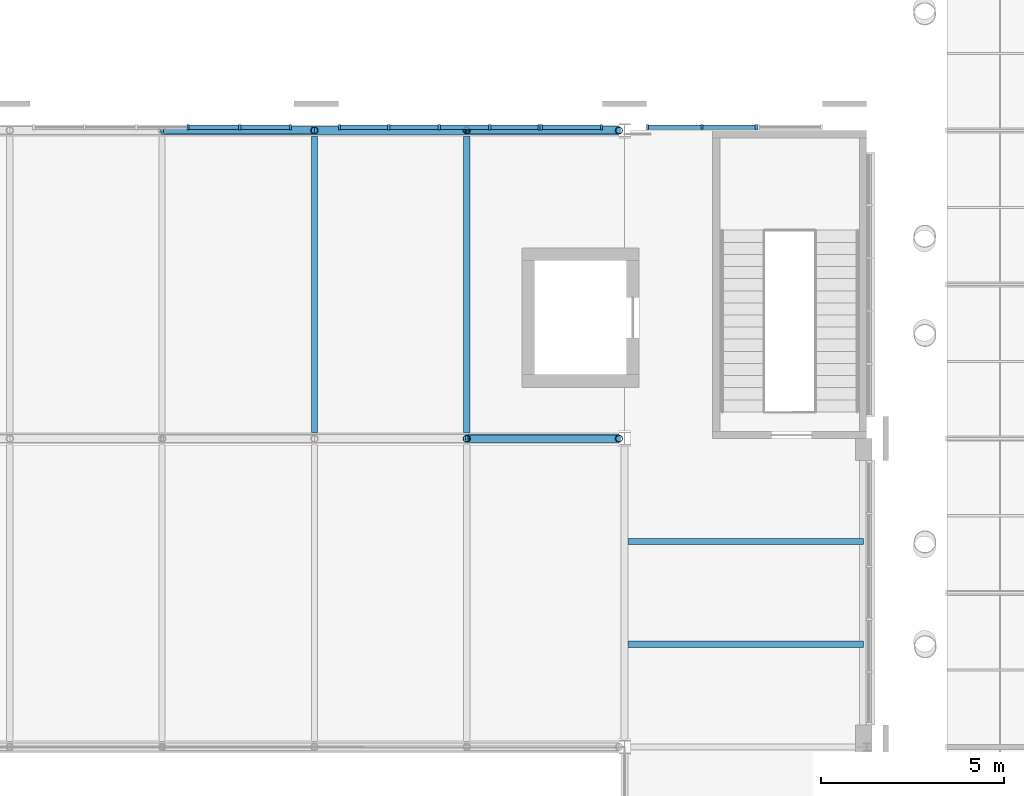
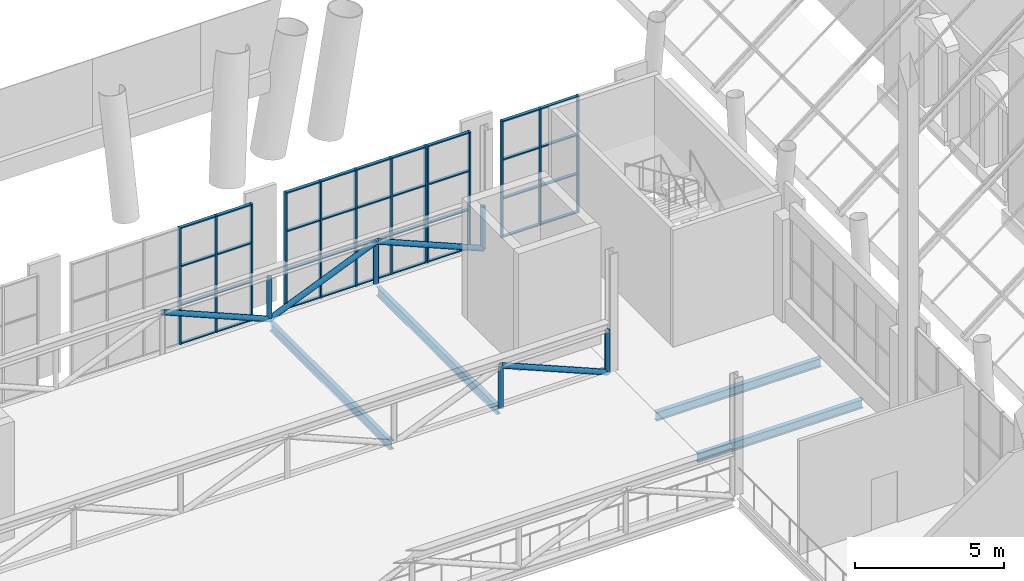
# One storey, part 37 of 76: 58 members, 4 beams, 4 elements without a shape of their own.
"""IFC4 building model written with IfcOpenShell, lengths in metres."""

from ifc_helpers import new_model, si_unit, direction, frame, origin, origin_2d, place, context, subcontext, project, spatial, rectangle, hollow_circle, i_section, extrude, material, material_profile, profile_set, type_object, element, aggregate, save


model = new_model("IFC4")

# Units and contexts
model_context = context("Model", 3, precision=1e-05, world=origin(), true_north=direction((0.0, 1.0)))
body_context = subcontext(model_context, "Body", "Model", "MODEL_VIEW")
ifc_project = project(units=[si_unit("LENGTHUNIT", "METRE"), si_unit("AREAUNIT", "SQUARE_METRE"), si_unit("VOLUMEUNIT", "CUBIC_METRE"), si_unit("PLANEANGLEUNIT", "RADIAN"), si_unit("MASSUNIT", "GRAM", prefix="KILO")], contexts=[model_context])

# Site, building, storey
site_placement = place(None, origin())
site = spatial("IfcSite", under=ifc_project, at=site_placement, CompositionType="ELEMENT")
building_placement = place(site_placement, origin())
building = spatial("IfcBuilding", under=site, at=building_placement, Name="Sava Quay Ferry Terminal", CompositionType="ELEMENT")
storey_placement = place(building_placement, frame((0.0, 0.0, 6.0)))
storey = spatial("IfcBuildingStorey", under=building, at=storey_placement, Name="L01", CompositionType="ELEMENT", Elevation=6.0)

# Beams
ifc_material_1 = material(Name="Steel S355", Category="steel")
ifc_material_profile_1 = material_profile(ifc_material_1, i_section(OverallWidth=0.169921875, OverallDepth=0.360107421875, WebThickness=0.008056640625, FlangeThickness=0.0126953125, at=origin_2d()), Name="IPE 360")
ifc_profile_set_1 = profile_set([ifc_material_profile_1], Name="Steel S355")
beam_type = type_object("IfcBeamType", Name="Beam IPE 360", PredefinedType="BEAM", material=ifc_profile_set_1)
for number, where, z_axis, x_axis, name in (
    (1, (75.68994140625, 86.800048828125, -0.31005859375), (1.0, 0.0, 0.0), (0.0, 1.0, 0.0), "Secondary beam L01"),
    (2, (75.68994140625, 89.60009765625, -0.31005859375), (1.0, 0.0, 0.0), (0.0, 1.0, 0.0), "Secondary beam L01"),
):
    element("IfcBeam", number, at=place(storey_placement, frame(where, z_axis=z_axis, x_axis=x_axis)), inside=storey, type_object=beam_type, Name=name, PredefinedType="BEAM", context=body_context, shape_type="SweptSolid", body=[
        extrude(i_section(OverallWidth=0.169921875, OverallDepth=0.360107421875, WebThickness=0.008056640625, FlangeThickness=0.0126953125, at=origin_2d()), origin(), (0.0, 0.0, 1.0), 6.420166015625),
    ])
for number, where, z_axis, x_axis, name in (
    (3, (67.14990234375, 92.550048828125, -0.31005859375), (0.0, 1.0, 0.0), (-1.0, 0.0, 0.0), "Truss floor beam"),
    (4, (71.300048828125, 92.550048828125, -0.31005859375), (0.0, 1.0, 0.0), (-1.0, 0.0, 0.0), "Truss floor beam"),
):
    element("IfcBeam", number, at=place(storey_placement, frame(where, z_axis=z_axis, x_axis=x_axis)), inside=storey, type_object=beam_type, Name=name, PredefinedType="BEAM", context=body_context, shape_type="SweptSolid", body=[
        extrude(i_section(OverallWidth=0.169921875, OverallDepth=0.360107421875, WebThickness=0.008056640625, FlangeThickness=0.0126953125, at=origin_2d()), origin(), (0.0, 0.0, 1.0), 8.099853515625),
    ])

# Members
ifc_material_2 = material(Name="Steel S355", Category="steel")
ifc_material_profile_2 = material_profile(ifc_material_2, hollow_circle(Radius=0.096923828125, WallThickness=0.008056640625, at=origin_2d()), Name="CHS 193.7 x 8")
ifc_profile_set_2 = profile_set([ifc_material_profile_2], Name="Steel S355")
member_type_1 = type_object("IfcMemberType", Name="Brace CHS 193.7 x 8", PredefinedType="BRACE", material=ifc_profile_set_2)
for number, where, z_axis, x_axis, name in (
    (5, (71.300048828125, 92.39990234375, -0.1298828125), (0.0, 0.0, 1.0), (1.0, 0.0, 0.0), "Truss post 92.4"),
    (6, (75.449951171875, 92.39990234375, -0.1298828125), (0.0, 0.0, 1.0), (1.0, 0.0, 0.0), "Truss post 92.4"),
    (7, (67.14990234375, 100.800048828125, -0.1298828125), (0.0, 0.0, 1.0), (1.0, 0.0, 0.0), "Truss post 100.8"),
    (8, (71.300048828125, 100.800048828125, -0.1298828125), (0.0, 0.0, 1.0), (1.0, 0.0, 0.0), "Truss post 100.8"),
    (9, (75.449951171875, 100.800048828125, -0.1298828125), (0.0, 0.0, 1.0), (1.0, 0.0, 0.0), "Truss post 100.8"),
):
    element("IfcMember", number, at=place(storey_placement, frame(where, z_axis=z_axis, x_axis=x_axis)), inside=storey, type_object=member_type_1, Name=name, PredefinedType="BRACE", context=body_context, shape_type="SweptSolid", body=[
        extrude(hollow_circle(Radius=0.096923828125, WallThickness=0.008056640625, at=origin_2d()), origin(), (0.0, 0.0, 1.0), 1.739990234375),
    ])
ifc_material_3 = material(Name="Steel S355", Category="steel")
ifc_material_profile_3 = material_profile(ifc_material_3, hollow_circle(Radius=0.109619140625, WallThickness=0.010009765625, at=origin_2d()), Name="CHS 219.1 x 10")
ifc_profile_set_3 = profile_set([ifc_material_profile_3], Name="Steel S355")
member_type_2 = type_object("IfcMemberType", Name="Brace CHS 219.1 x 10", PredefinedType="BRACE", material=ifc_profile_set_3)
for number, where, z_axis, x_axis, name in (
    (10, (75.449951171875, 92.39990234375, -0.1298828125), (-0.922217474343, 0.0, 0.386671604874), (0.0, -1.0, 0.0), "Truss diagonal 92.4"),
    (11, (67.14990234375, 100.800048828125, -0.1298828125), (-0.922217474343, 0.0, 0.386671604874), (0.0, -1.0, 0.0), "Truss diagonal 100.8"),
):
    element("IfcMember", number, at=place(storey_placement, frame(where, z_axis=z_axis, x_axis=x_axis)), inside=storey, type_object=member_type_2, Name=name, PredefinedType="BRACE", context=body_context, shape_type="SweptSolid", body=[
        extrude(hollow_circle(Radius=0.109619140625, WallThickness=0.010009765625, at=origin_2d()), origin(), (0.0, 0.0, 1.0), 4.5),
    ])
member_1_placement = place(storey_placement, frame((67.14990234375, 100.800048828125, -0.1298828125), z_axis=(0.922225585588, 0.0, 0.386652258867), x_axis=(0.0, 1.0, 0.0)))
element("IfcMember", 12, at=member_1_placement, inside=storey, type_object=member_type_2, Name="Truss diagonal 100.8", PredefinedType="BRACE", context=body_context, shape_type="SweptSolid", body=[
    extrude(hollow_circle(Radius=0.109619140625, WallThickness=0.010009765625, at=origin_2d()), origin(), (0.0, 0.0, 1.0), 4.500244140625),
])
member_2_placement = place(storey_placement, frame((75.449951171875, 100.800048828125, -0.1298828125), z_axis=(-0.922217474343, 0.0, 0.386671604874), x_axis=(0.0, -1.0, 0.0)))
element("IfcMember", 13, at=member_2_placement, inside=storey, type_object=member_type_2, Name="Truss diagonal 100.8", PredefinedType="BRACE", context=body_context, shape_type="SweptSolid", body=[
    extrude(hollow_circle(Radius=0.109619140625, WallThickness=0.010009765625, at=origin_2d()), origin(), (0.0, 0.0, 1.0), 4.5),
])

# Curtain wall, members
ifc_material_4 = material(Name="Aluminium and glass curtain wall, double low-e glazed", Category="aluminium")
curtain_wall_type = type_object("IfcCurtainWallType", Name="Curtain wall CW-G gable", PredefinedType="NOTDEFINED", material=ifc_material_4)
curtain_wall_1_placement = place(storey_placement, origin())
curtain_wall_1 = element("IfcCurtainWall", 14, at=curtain_wall_1_placement, inside=storey, type_object=curtain_wall_type, Name="Curtain wall D-N L01 bay 31", PredefinedType="NOTDEFINED")
ifc_material_5 = material(Name="Aluminium EN AW-6063 T6", Category="aluminium")
ifc_material_profile_4 = material_profile(ifc_material_5, rectangle(XDim=0.14990234375, YDim=0.06005859375, at=origin_2d()), Name="Mullion 60x150 aluminium")
ifc_profile_set_4 = profile_set([ifc_material_profile_4], Name="Aluminium EN AW-6063 T6")
member_type_3 = type_object("IfcMemberType", Name="Mullion 60x150 aluminium", PredefinedType="MULLION", material=ifc_profile_set_4)
member_3_placement = place(storey_placement, frame((63.7060546875, 100.885009765625, 0.0), z_axis=(0.0, 0.0, 1.0), x_axis=(0.0, 1.0, 0.0)))
member_3 = element("IfcMember", 15, at=member_3_placement, type_object=member_type_3, Name="CW70 mullion 4", PredefinedType="MULLION", context=body_context, shape_type="SweptSolid", body=[
    extrude(rectangle(XDim=0.14990234375, YDim=0.06005859375, at=origin_2d()), origin(), (0.0, 0.0, 1.0), 4.800048828125),
])
member_4_placement = place(storey_placement, frame((65.117919921875, 100.885009765625, 0.0), z_axis=(0.0, 0.0, 1.0), x_axis=(0.0, 1.0, 0.0)))
member_4 = element("IfcMember", 16, at=member_4_placement, type_object=member_type_3, Name="CW70 mullion 5", PredefinedType="MULLION", context=body_context, shape_type="SweptSolid", body=[
    extrude(rectangle(XDim=0.14990234375, YDim=0.06005859375, at=origin_2d()), origin(), (0.0, 0.0, 1.0), 4.800048828125),
])
member_5_placement = place(storey_placement, frame((66.5, 100.885009765625, 0.0), z_axis=(0.0, 0.0, 1.0), x_axis=(0.0, 1.0, 0.0)))
member_5 = element("IfcMember", 17, at=member_5_placement, type_object=member_type_3, Name="CW70 mullion 6", PredefinedType="MULLION", context=body_context, shape_type="SweptSolid", body=[
    extrude(rectangle(XDim=0.14990234375, YDim=0.06005859375, at=origin_2d()), origin(), (0.0, 0.0, 1.0), 4.800048828125),
])

curtain_wall_2_placement = place(storey_placement, origin())
curtain_wall_2 = element("IfcCurtainWall", 18, at=curtain_wall_2_placement, inside=storey, type_object=curtain_wall_type, Name="Curtain wall D-N L01 bay 41", PredefinedType="NOTDEFINED")
member_6_placement = place(storey_placement, frame((67.830078125, 100.885009765625, 0.0), z_axis=(0.0, 0.0, 1.0), x_axis=(0.0, 1.0, 0.0)))
member_6 = element("IfcMember", 19, at=member_6_placement, type_object=member_type_3, Name="CW74 mullion 1", PredefinedType="MULLION", context=body_context, shape_type="SweptSolid", body=[
    extrude(rectangle(XDim=0.14990234375, YDim=0.06005859375, at=origin_2d()), origin(), (0.0, 0.0, 1.0), 4.800048828125),
])
member_7_placement = place(storey_placement, frame((69.175048828125, 100.885009765625, 0.0), z_axis=(0.0, 0.0, 1.0), x_axis=(0.0, 1.0, 0.0)))
member_7 = element("IfcMember", 20, at=member_7_placement, type_object=member_type_3, Name="CW74 mullion 2", PredefinedType="MULLION", context=body_context, shape_type="SweptSolid", body=[
    extrude(rectangle(XDim=0.14990234375, YDim=0.06005859375, at=origin_2d()), origin(), (0.0, 0.0, 1.0), 4.800048828125),
])
member_8_placement = place(storey_placement, frame((70.550048828125, 100.885009765625, 0.0), z_axis=(0.0, 0.0, 1.0), x_axis=(0.0, 1.0, 0.0)))
member_8 = element("IfcMember", 21, at=member_8_placement, type_object=member_type_3, Name="CW74 mullion 3", PredefinedType="MULLION", context=body_context, shape_type="SweptSolid", body=[
    extrude(rectangle(XDim=0.14990234375, YDim=0.06005859375, at=origin_2d()), origin(), (0.0, 0.0, 1.0), 4.800048828125),
])
member_9_placement = place(storey_placement, frame((71.925048828125, 100.885009765625, 0.0), z_axis=(0.0, 0.0, 1.0), x_axis=(0.0, 1.0, 0.0)))
member_9 = element("IfcMember", 22, at=member_9_placement, type_object=member_type_3, Name="CW74 mullion 4", PredefinedType="MULLION", context=body_context, shape_type="SweptSolid", body=[
    extrude(rectangle(XDim=0.14990234375, YDim=0.06005859375, at=origin_2d()), origin(), (0.0, 0.0, 1.0), 4.800048828125),
])
member_10_placement = place(storey_placement, frame((73.27001953125, 100.885009765625, 0.0), z_axis=(0.0, 0.0, 1.0), x_axis=(0.0, 1.0, 0.0)))
member_10 = element("IfcMember", 23, at=member_10_placement, type_object=member_type_3, Name="CW74 mullion 5", PredefinedType="MULLION", context=body_context, shape_type="SweptSolid", body=[
    extrude(rectangle(XDim=0.14990234375, YDim=0.06005859375, at=origin_2d()), origin(), (0.0, 0.0, 1.0), 4.800048828125),
])

curtain_wall_3_placement = place(storey_placement, origin())
curtain_wall_3 = element("IfcCurtainWall", 24, at=curtain_wall_3_placement, inside=storey, type_object=curtain_wall_type, Name="Curtain wall D-N L01 bay 51", PredefinedType="NOTDEFINED")
member_11_placement = place(storey_placement, frame((73.330078125, 100.885009765625, 0.0), z_axis=(0.0, 0.0, 1.0), x_axis=(0.0, 1.0, 0.0)))
member_11 = element("IfcMember", 25, at=member_11_placement, type_object=member_type_3, Name="CW78 mullion 1", PredefinedType="MULLION", context=body_context, shape_type="SweptSolid", body=[
    extrude(rectangle(XDim=0.14990234375, YDim=0.06005859375, at=origin_2d()), origin(), (0.0, 0.0, 1.0), 4.800048828125),
])
member_12_placement = place(storey_placement, frame((74.969970703125, 100.885009765625, 0.0), z_axis=(0.0, 0.0, 1.0), x_axis=(0.0, 1.0, 0.0)))
member_12 = element("IfcMember", 26, at=member_12_placement, type_object=member_type_3, Name="CW78 mullion 2", PredefinedType="MULLION", context=body_context, shape_type="SweptSolid", body=[
    extrude(rectangle(XDim=0.14990234375, YDim=0.06005859375, at=origin_2d()), origin(), (0.0, 0.0, 1.0), 4.800048828125),
])

curtain_wall_4_placement = place(storey_placement, origin())
curtain_wall_4 = element("IfcCurtainWall", 27, at=curtain_wall_4_placement, inside=storey, type_object=curtain_wall_type, Name="Curtain wall D-N L01 bay 52", PredefinedType="NOTDEFINED")
member_13_placement = place(storey_placement, frame((76.22998046875, 100.885009765625, 0.0), z_axis=(0.0, 0.0, 1.0), x_axis=(0.0, 1.0, 0.0)))
member_13 = element("IfcMember", 28, at=member_13_placement, type_object=member_type_3, Name="CW82 mullion 1", PredefinedType="MULLION", context=body_context, shape_type="SweptSolid", body=[
    extrude(rectangle(XDim=0.14990234375, YDim=0.06005859375, at=origin_2d()), origin(), (0.0, 0.0, 1.0), 4.800048828125),
])
member_14_placement = place(storey_placement, frame((77.7099609375, 100.885009765625, 0.0), z_axis=(0.0, 0.0, 1.0), x_axis=(0.0, 1.0, 0.0)))
member_14 = element("IfcMember", 29, at=member_14_placement, type_object=member_type_3, Name="CW82 mullion 2", PredefinedType="MULLION", context=body_context, shape_type="SweptSolid", body=[
    extrude(rectangle(XDim=0.14990234375, YDim=0.06005859375, at=origin_2d()), origin(), (0.0, 0.0, 1.0), 4.800048828125),
])
member_15_placement = place(storey_placement, frame((79.18994140625, 100.885009765625, 0.0), z_axis=(0.0, 0.0, 1.0), x_axis=(0.0, 1.0, 0.0)))
member_15 = element("IfcMember", 30, at=member_15_placement, type_object=member_type_3, Name="CW82 mullion 3", PredefinedType="MULLION", context=body_context, shape_type="SweptSolid", body=[
    extrude(rectangle(XDim=0.14990234375, YDim=0.06005859375, at=origin_2d()), origin(), (0.0, 0.0, 1.0), 4.800048828125),
])

# Member
ifc_material_6 = material(Name="Aluminium EN AW-6063 T6", Category="aluminium")
ifc_material_profile_5 = material_profile(ifc_material_6, rectangle(XDim=0.1201171875, YDim=0.050048828125, at=origin_2d()), Name="Transom 50x120 aluminium")
ifc_profile_set_5 = profile_set([ifc_material_profile_5], Name="Aluminium EN AW-6063 T6")
member_type_4 = type_object("IfcMemberType", Name="Transom 50x120 aluminium", PredefinedType="USERDEFINED", material=ifc_profile_set_5)
member_16_placement = place(storey_placement, frame((63.736083984375, 100.885009765625, 0.02490234375), z_axis=(1.0, 0.0, 0.0), x_axis=(0.0, 1.0, 0.0)))
member_16 = element("IfcMember", 31, at=member_16_placement, type_object=member_type_4, Name="CW70 transom 4.1", ObjectType="TRANSOM", PredefinedType="USERDEFINED", context=body_context, shape_type="SweptSolid", body=[
    extrude(rectangle(XDim=0.1201171875, YDim=0.050048828125, at=origin_2d()), origin(), (0.0, 0.0, 1.0), 1.351806640625),
])

member_17_placement = place(storey_placement, frame((63.736083984375, 100.885009765625, 1.60009765625), z_axis=(1.0, 0.0, 0.0), x_axis=(0.0, 1.0, 0.0)))
member_17 = element("IfcMember", 32, at=member_17_placement, type_object=member_type_4, Name="CW70 transom 4.2", ObjectType="TRANSOM", PredefinedType="USERDEFINED", context=body_context, shape_type="SweptSolid", body=[
    extrude(rectangle(XDim=0.1201171875, YDim=0.050048828125, at=origin_2d()), origin(), (0.0, 0.0, 1.0), 1.351806640625),
])

member_18_placement = place(storey_placement, frame((63.736083984375, 100.885009765625, 3.199951171875), z_axis=(1.0, 0.0, 0.0), x_axis=(0.0, 1.0, 0.0)))
member_18 = element("IfcMember", 33, at=member_18_placement, type_object=member_type_4, Name="CW70 transom 4.3", ObjectType="TRANSOM", PredefinedType="USERDEFINED", context=body_context, shape_type="SweptSolid", body=[
    extrude(rectangle(XDim=0.1201171875, YDim=0.050048828125, at=origin_2d()), origin(), (0.0, 0.0, 1.0), 1.351806640625),
])

member_19_placement = place(storey_placement, frame((63.736083984375, 100.885009765625, 4.77490234375), z_axis=(1.0, 0.0, 0.0), x_axis=(0.0, 1.0, 0.0)))
member_19 = element("IfcMember", 34, at=member_19_placement, type_object=member_type_4, Name="CW70 transom 4.4", ObjectType="TRANSOM", PredefinedType="USERDEFINED", context=body_context, shape_type="SweptSolid", body=[
    extrude(rectangle(XDim=0.1201171875, YDim=0.050048828125, at=origin_2d()), origin(), (0.0, 0.0, 1.0), 1.351806640625),
])

member_20_placement = place(storey_placement, frame((65.14794921875, 100.885009765625, 0.02490234375), z_axis=(1.0, 0.0, 0.0), x_axis=(0.0, 1.0, 0.0)))
member_20 = element("IfcMember", 35, at=member_20_placement, type_object=member_type_4, Name="CW70 transom 5.1", ObjectType="TRANSOM", PredefinedType="USERDEFINED", context=body_context, shape_type="SweptSolid", body=[
    extrude(rectangle(XDim=0.1201171875, YDim=0.050048828125, at=origin_2d()), origin(), (0.0, 0.0, 1.0), 1.322021484375),
])

member_21_placement = place(storey_placement, frame((65.14794921875, 100.885009765625, 1.60009765625), z_axis=(1.0, 0.0, 0.0), x_axis=(0.0, 1.0, 0.0)))
member_21 = element("IfcMember", 36, at=member_21_placement, type_object=member_type_4, Name="CW70 transom 5.2", ObjectType="TRANSOM", PredefinedType="USERDEFINED", context=body_context, shape_type="SweptSolid", body=[
    extrude(rectangle(XDim=0.1201171875, YDim=0.050048828125, at=origin_2d()), origin(), (0.0, 0.0, 1.0), 1.322021484375),
])

member_22_placement = place(storey_placement, frame((65.14794921875, 100.885009765625, 3.199951171875), z_axis=(1.0, 0.0, 0.0), x_axis=(0.0, 1.0, 0.0)))
member_22 = element("IfcMember", 37, at=member_22_placement, type_object=member_type_4, Name="CW70 transom 5.3", ObjectType="TRANSOM", PredefinedType="USERDEFINED", context=body_context, shape_type="SweptSolid", body=[
    extrude(rectangle(XDim=0.1201171875, YDim=0.050048828125, at=origin_2d()), origin(), (0.0, 0.0, 1.0), 1.322021484375),
])

member_23_placement = place(storey_placement, frame((65.14794921875, 100.885009765625, 4.77490234375), z_axis=(1.0, 0.0, 0.0), x_axis=(0.0, 1.0, 0.0)))
member_23 = element("IfcMember", 38, at=member_23_placement, type_object=member_type_4, Name="CW70 transom 5.4", ObjectType="TRANSOM", PredefinedType="USERDEFINED", context=body_context, shape_type="SweptSolid", body=[
    extrude(rectangle(XDim=0.1201171875, YDim=0.050048828125, at=origin_2d()), origin(), (0.0, 0.0, 1.0), 1.322021484375),
])

aggregate(curtain_wall_1, [member_3, member_4, member_5, member_16, member_17, member_18, member_19, member_20, member_21, member_22, member_23])

member_24_placement = place(storey_placement, frame((67.860107421875, 100.885009765625, 0.02490234375), z_axis=(1.0, 0.0, 0.0), x_axis=(0.0, 1.0, 0.0)))
member_24 = element("IfcMember", 39, at=member_24_placement, type_object=member_type_4, Name="CW74 transom 1.1", ObjectType="TRANSOM", PredefinedType="USERDEFINED", context=body_context, shape_type="SweptSolid", body=[
    extrude(rectangle(XDim=0.1201171875, YDim=0.050048828125, at=origin_2d()), origin(), (0.0, 0.0, 1.0), 1.284912109375),
])

member_25_placement = place(storey_placement, frame((67.860107421875, 100.885009765625, 1.60009765625), z_axis=(1.0, 0.0, 0.0), x_axis=(0.0, 1.0, 0.0)))
member_25 = element("IfcMember", 40, at=member_25_placement, type_object=member_type_4, Name="CW74 transom 1.2", ObjectType="TRANSOM", PredefinedType="USERDEFINED", context=body_context, shape_type="SweptSolid", body=[
    extrude(rectangle(XDim=0.1201171875, YDim=0.050048828125, at=origin_2d()), origin(), (0.0, 0.0, 1.0), 1.284912109375),
])

member_26_placement = place(storey_placement, frame((67.860107421875, 100.885009765625, 3.199951171875), z_axis=(1.0, 0.0, 0.0), x_axis=(0.0, 1.0, 0.0)))
member_26 = element("IfcMember", 41, at=member_26_placement, type_object=member_type_4, Name="CW74 transom 1.3", ObjectType="TRANSOM", PredefinedType="USERDEFINED", context=body_context, shape_type="SweptSolid", body=[
    extrude(rectangle(XDim=0.1201171875, YDim=0.050048828125, at=origin_2d()), origin(), (0.0, 0.0, 1.0), 1.284912109375),
])

member_27_placement = place(storey_placement, frame((67.860107421875, 100.885009765625, 4.77490234375), z_axis=(1.0, 0.0, 0.0), x_axis=(0.0, 1.0, 0.0)))
member_27 = element("IfcMember", 42, at=member_27_placement, type_object=member_type_4, Name="CW74 transom 1.4", ObjectType="TRANSOM", PredefinedType="USERDEFINED", context=body_context, shape_type="SweptSolid", body=[
    extrude(rectangle(XDim=0.1201171875, YDim=0.050048828125, at=origin_2d()), origin(), (0.0, 0.0, 1.0), 1.284912109375),
])

member_28_placement = place(storey_placement, frame((69.205078125, 100.885009765625, 0.02490234375), z_axis=(1.0, 0.0, 0.0), x_axis=(0.0, 1.0, 0.0)))
member_28 = element("IfcMember", 43, at=member_28_placement, type_object=member_type_4, Name="CW74 transom 2.1", ObjectType="TRANSOM", PredefinedType="USERDEFINED", context=body_context, shape_type="SweptSolid", body=[
    extrude(rectangle(XDim=0.1201171875, YDim=0.050048828125, at=origin_2d()), origin(), (0.0, 0.0, 1.0), 1.31494140625),
])

member_29_placement = place(storey_placement, frame((69.205078125, 100.885009765625, 1.60009765625), z_axis=(1.0, 0.0, 0.0), x_axis=(0.0, 1.0, 0.0)))
member_29 = element("IfcMember", 44, at=member_29_placement, type_object=member_type_4, Name="CW74 transom 2.2", ObjectType="TRANSOM", PredefinedType="USERDEFINED", context=body_context, shape_type="SweptSolid", body=[
    extrude(rectangle(XDim=0.1201171875, YDim=0.050048828125, at=origin_2d()), origin(), (0.0, 0.0, 1.0), 1.31494140625),
])

member_30_placement = place(storey_placement, frame((69.205078125, 100.885009765625, 3.199951171875), z_axis=(1.0, 0.0, 0.0), x_axis=(0.0, 1.0, 0.0)))
member_30 = element("IfcMember", 45, at=member_30_placement, type_object=member_type_4, Name="CW74 transom 2.3", ObjectType="TRANSOM", PredefinedType="USERDEFINED", context=body_context, shape_type="SweptSolid", body=[
    extrude(rectangle(XDim=0.1201171875, YDim=0.050048828125, at=origin_2d()), origin(), (0.0, 0.0, 1.0), 1.31494140625),
])

member_31_placement = place(storey_placement, frame((69.205078125, 100.885009765625, 4.77490234375), z_axis=(1.0, 0.0, 0.0), x_axis=(0.0, 1.0, 0.0)))
member_31 = element("IfcMember", 46, at=member_31_placement, type_object=member_type_4, Name="CW74 transom 2.4", ObjectType="TRANSOM", PredefinedType="USERDEFINED", context=body_context, shape_type="SweptSolid", body=[
    extrude(rectangle(XDim=0.1201171875, YDim=0.050048828125, at=origin_2d()), origin(), (0.0, 0.0, 1.0), 1.31494140625),
])

member_32_placement = place(storey_placement, frame((70.580078125, 100.885009765625, 0.02490234375), z_axis=(1.0, 0.0, 0.0), x_axis=(0.0, 1.0, 0.0)))
member_32 = element("IfcMember", 47, at=member_32_placement, type_object=member_type_4, Name="CW74 transom 3.1", ObjectType="TRANSOM", PredefinedType="USERDEFINED", context=body_context, shape_type="SweptSolid", body=[
    extrude(rectangle(XDim=0.1201171875, YDim=0.050048828125, at=origin_2d()), origin(), (0.0, 0.0, 1.0), 1.31494140625),
])

member_33_placement = place(storey_placement, frame((70.580078125, 100.885009765625, 1.60009765625), z_axis=(1.0, 0.0, 0.0), x_axis=(0.0, 1.0, 0.0)))
member_33 = element("IfcMember", 48, at=member_33_placement, type_object=member_type_4, Name="CW74 transom 3.2", ObjectType="TRANSOM", PredefinedType="USERDEFINED", context=body_context, shape_type="SweptSolid", body=[
    extrude(rectangle(XDim=0.1201171875, YDim=0.050048828125, at=origin_2d()), origin(), (0.0, 0.0, 1.0), 1.31494140625),
])

member_34_placement = place(storey_placement, frame((70.580078125, 100.885009765625, 3.199951171875), z_axis=(1.0, 0.0, 0.0), x_axis=(0.0, 1.0, 0.0)))
member_34 = element("IfcMember", 49, at=member_34_placement, type_object=member_type_4, Name="CW74 transom 3.3", ObjectType="TRANSOM", PredefinedType="USERDEFINED", context=body_context, shape_type="SweptSolid", body=[
    extrude(rectangle(XDim=0.1201171875, YDim=0.050048828125, at=origin_2d()), origin(), (0.0, 0.0, 1.0), 1.31494140625),
])

member_35_placement = place(storey_placement, frame((70.580078125, 100.885009765625, 4.77490234375), z_axis=(1.0, 0.0, 0.0), x_axis=(0.0, 1.0, 0.0)))
member_35 = element("IfcMember", 50, at=member_35_placement, type_object=member_type_4, Name="CW74 transom 3.4", ObjectType="TRANSOM", PredefinedType="USERDEFINED", context=body_context, shape_type="SweptSolid", body=[
    extrude(rectangle(XDim=0.1201171875, YDim=0.050048828125, at=origin_2d()), origin(), (0.0, 0.0, 1.0), 1.31494140625),
])

member_36_placement = place(storey_placement, frame((71.955078125, 100.885009765625, 0.02490234375), z_axis=(1.0, 0.0, 0.0), x_axis=(0.0, 1.0, 0.0)))
member_36 = element("IfcMember", 51, at=member_36_placement, type_object=member_type_4, Name="CW74 transom 4.1", ObjectType="TRANSOM", PredefinedType="USERDEFINED", context=body_context, shape_type="SweptSolid", body=[
    extrude(rectangle(XDim=0.1201171875, YDim=0.050048828125, at=origin_2d()), origin(), (0.0, 0.0, 1.0), 1.284912109375),
])

member_37_placement = place(storey_placement, frame((71.955078125, 100.885009765625, 1.60009765625), z_axis=(1.0, 0.0, 0.0), x_axis=(0.0, 1.0, 0.0)))
member_37 = element("IfcMember", 52, at=member_37_placement, type_object=member_type_4, Name="CW74 transom 4.2", ObjectType="TRANSOM", PredefinedType="USERDEFINED", context=body_context, shape_type="SweptSolid", body=[
    extrude(rectangle(XDim=0.1201171875, YDim=0.050048828125, at=origin_2d()), origin(), (0.0, 0.0, 1.0), 1.284912109375),
])

member_38_placement = place(storey_placement, frame((71.955078125, 100.885009765625, 3.199951171875), z_axis=(1.0, 0.0, 0.0), x_axis=(0.0, 1.0, 0.0)))
member_38 = element("IfcMember", 53, at=member_38_placement, type_object=member_type_4, Name="CW74 transom 4.3", ObjectType="TRANSOM", PredefinedType="USERDEFINED", context=body_context, shape_type="SweptSolid", body=[
    extrude(rectangle(XDim=0.1201171875, YDim=0.050048828125, at=origin_2d()), origin(), (0.0, 0.0, 1.0), 1.284912109375),
])

member_39_placement = place(storey_placement, frame((71.955078125, 100.885009765625, 4.77490234375), z_axis=(1.0, 0.0, 0.0), x_axis=(0.0, 1.0, 0.0)))
member_39 = element("IfcMember", 54, at=member_39_placement, type_object=member_type_4, Name="CW74 transom 4.4", ObjectType="TRANSOM", PredefinedType="USERDEFINED", context=body_context, shape_type="SweptSolid", body=[
    extrude(rectangle(XDim=0.1201171875, YDim=0.050048828125, at=origin_2d()), origin(), (0.0, 0.0, 1.0), 1.284912109375),
])

aggregate(curtain_wall_2, [member_6, member_7, member_8, member_9, member_10, member_24, member_25, member_26, member_27, member_28, member_29, member_30, member_31, member_32, member_33, member_34, member_35, member_36, member_37, member_38, member_39])

member_40_placement = place(storey_placement, frame((73.360107421875, 100.885009765625, 0.02490234375), z_axis=(1.0, 0.0, 0.0), x_axis=(0.0, 1.0, 0.0)))
member_40 = element("IfcMember", 55, at=member_40_placement, type_object=member_type_4, Name="CW78 transom 1.1", ObjectType="TRANSOM", PredefinedType="USERDEFINED", context=body_context, shape_type="SweptSolid", body=[
    extrude(rectangle(XDim=0.1201171875, YDim=0.050048828125, at=origin_2d()), origin(), (0.0, 0.0, 1.0), 1.579833984375),
])

member_41_placement = place(storey_placement, frame((73.360107421875, 100.885009765625, 1.60009765625), z_axis=(1.0, 0.0, 0.0), x_axis=(0.0, 1.0, 0.0)))
member_41 = element("IfcMember", 56, at=member_41_placement, type_object=member_type_4, Name="CW78 transom 1.2", ObjectType="TRANSOM", PredefinedType="USERDEFINED", context=body_context, shape_type="SweptSolid", body=[
    extrude(rectangle(XDim=0.1201171875, YDim=0.050048828125, at=origin_2d()), origin(), (0.0, 0.0, 1.0), 1.579833984375),
])

member_42_placement = place(storey_placement, frame((73.360107421875, 100.885009765625, 3.199951171875), z_axis=(1.0, 0.0, 0.0), x_axis=(0.0, 1.0, 0.0)))
member_42 = element("IfcMember", 57, at=member_42_placement, type_object=member_type_4, Name="CW78 transom 1.3", ObjectType="TRANSOM", PredefinedType="USERDEFINED", context=body_context, shape_type="SweptSolid", body=[
    extrude(rectangle(XDim=0.1201171875, YDim=0.050048828125, at=origin_2d()), origin(), (0.0, 0.0, 1.0), 1.579833984375),
])

member_43_placement = place(storey_placement, frame((73.360107421875, 100.885009765625, 4.77490234375), z_axis=(1.0, 0.0, 0.0), x_axis=(0.0, 1.0, 0.0)))
member_43 = element("IfcMember", 58, at=member_43_placement, type_object=member_type_4, Name="CW78 transom 1.4", ObjectType="TRANSOM", PredefinedType="USERDEFINED", context=body_context, shape_type="SweptSolid", body=[
    extrude(rectangle(XDim=0.1201171875, YDim=0.050048828125, at=origin_2d()), origin(), (0.0, 0.0, 1.0), 1.579833984375),
])

aggregate(curtain_wall_3, [member_11, member_12, member_40, member_41, member_42, member_43])

member_44_placement = place(storey_placement, frame((76.260009765625, 100.885009765625, 0.02490234375), z_axis=(1.0, 0.0, 0.0), x_axis=(0.0, 1.0, 0.0)))
member_44 = element("IfcMember", 59, at=member_44_placement, type_object=member_type_4, Name="CW82 transom 1.1", ObjectType="TRANSOM", PredefinedType="USERDEFINED", context=body_context, shape_type="SweptSolid", body=[
    extrude(rectangle(XDim=0.1201171875, YDim=0.050048828125, at=origin_2d()), origin(), (0.0, 0.0, 1.0), 1.419921875),
])

member_45_placement = place(storey_placement, frame((76.260009765625, 100.885009765625, 1.60009765625), z_axis=(1.0, 0.0, 0.0), x_axis=(0.0, 1.0, 0.0)))
member_45 = element("IfcMember", 60, at=member_45_placement, type_object=member_type_4, Name="CW82 transom 1.2", ObjectType="TRANSOM", PredefinedType="USERDEFINED", context=body_context, shape_type="SweptSolid", body=[
    extrude(rectangle(XDim=0.1201171875, YDim=0.050048828125, at=origin_2d()), origin(), (0.0, 0.0, 1.0), 1.419921875),
])

member_46_placement = place(storey_placement, frame((76.260009765625, 100.885009765625, 3.199951171875), z_axis=(1.0, 0.0, 0.0), x_axis=(0.0, 1.0, 0.0)))
member_46 = element("IfcMember", 61, at=member_46_placement, type_object=member_type_4, Name="CW82 transom 1.3", ObjectType="TRANSOM", PredefinedType="USERDEFINED", context=body_context, shape_type="SweptSolid", body=[
    extrude(rectangle(XDim=0.1201171875, YDim=0.050048828125, at=origin_2d()), origin(), (0.0, 0.0, 1.0), 1.419921875),
])

member_47_placement = place(storey_placement, frame((76.260009765625, 100.885009765625, 4.77490234375), z_axis=(1.0, 0.0, 0.0), x_axis=(0.0, 1.0, 0.0)))
member_47 = element("IfcMember", 62, at=member_47_placement, type_object=member_type_4, Name="CW82 transom 1.4", ObjectType="TRANSOM", PredefinedType="USERDEFINED", context=body_context, shape_type="SweptSolid", body=[
    extrude(rectangle(XDim=0.1201171875, YDim=0.050048828125, at=origin_2d()), origin(), (0.0, 0.0, 1.0), 1.419921875),
])

member_48_placement = place(storey_placement, frame((77.739990234375, 100.885009765625, 0.02490234375), z_axis=(1.0, 0.0, 0.0), x_axis=(0.0, 1.0, 0.0)))
member_48 = element("IfcMember", 63, at=member_48_placement, type_object=member_type_4, Name="CW82 transom 2.1", ObjectType="TRANSOM", PredefinedType="USERDEFINED", context=body_context, shape_type="SweptSolid", body=[
    extrude(rectangle(XDim=0.1201171875, YDim=0.050048828125, at=origin_2d()), origin(), (0.0, 0.0, 1.0), 1.419921875),
])

member_49_placement = place(storey_placement, frame((77.739990234375, 100.885009765625, 1.60009765625), z_axis=(1.0, 0.0, 0.0), x_axis=(0.0, 1.0, 0.0)))
member_49 = element("IfcMember", 64, at=member_49_placement, type_object=member_type_4, Name="CW82 transom 2.2", ObjectType="TRANSOM", PredefinedType="USERDEFINED", context=body_context, shape_type="SweptSolid", body=[
    extrude(rectangle(XDim=0.1201171875, YDim=0.050048828125, at=origin_2d()), origin(), (0.0, 0.0, 1.0), 1.419921875),
])

member_50_placement = place(storey_placement, frame((77.739990234375, 100.885009765625, 3.199951171875), z_axis=(1.0, 0.0, 0.0), x_axis=(0.0, 1.0, 0.0)))
member_50 = element("IfcMember", 65, at=member_50_placement, type_object=member_type_4, Name="CW82 transom 2.3", ObjectType="TRANSOM", PredefinedType="USERDEFINED", context=body_context, shape_type="SweptSolid", body=[
    extrude(rectangle(XDim=0.1201171875, YDim=0.050048828125, at=origin_2d()), origin(), (0.0, 0.0, 1.0), 1.419921875),
])

member_51_placement = place(storey_placement, frame((77.739990234375, 100.885009765625, 4.77490234375), z_axis=(1.0, 0.0, 0.0), x_axis=(0.0, 1.0, 0.0)))
member_51 = element("IfcMember", 66, at=member_51_placement, type_object=member_type_4, Name="CW82 transom 2.4", ObjectType="TRANSOM", PredefinedType="USERDEFINED", context=body_context, shape_type="SweptSolid", body=[
    extrude(rectangle(XDim=0.1201171875, YDim=0.050048828125, at=origin_2d()), origin(), (0.0, 0.0, 1.0), 1.419921875),
])

aggregate(curtain_wall_4, [member_13, member_14, member_15, member_44, member_45, member_46, member_47, member_48, member_49, member_50, member_51])

save(model, "model.ifc")
